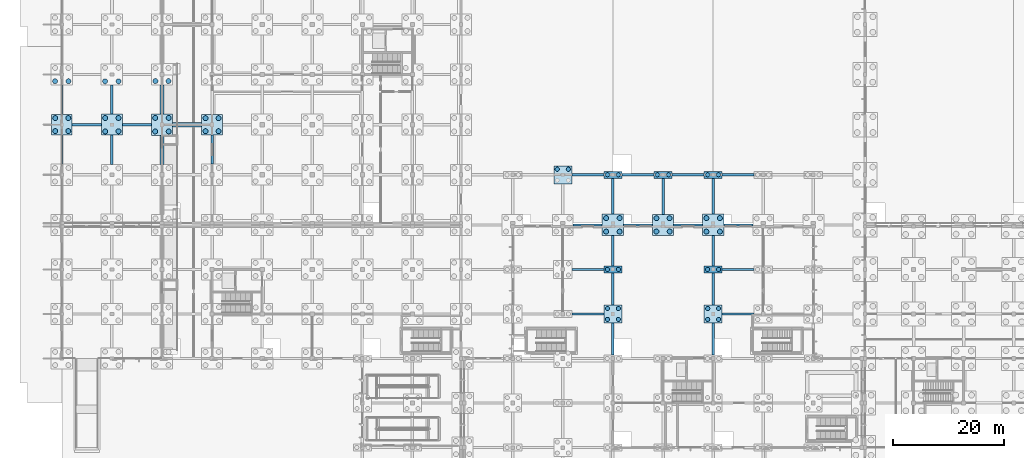
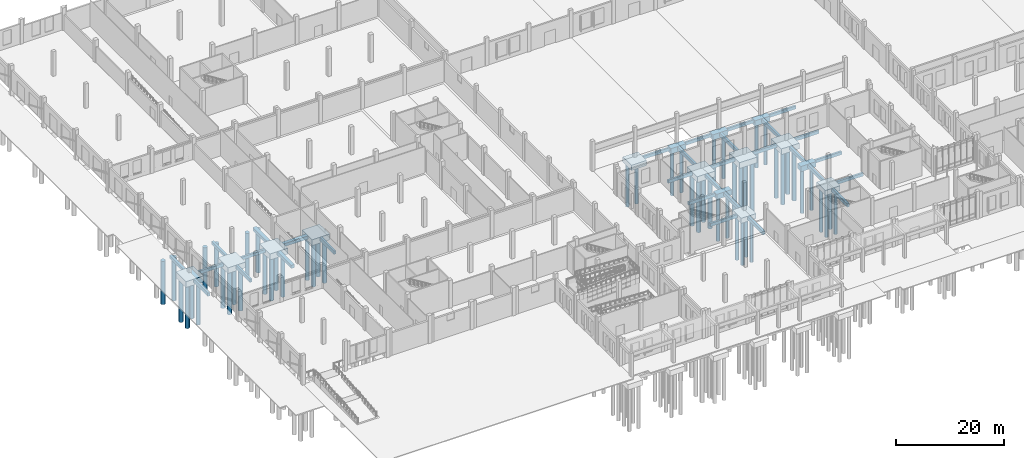
# One storey, part 7 of 99: 54 piles, 46 footings.
"""IFC4 building model written with IfcOpenShell, lengths in metres."""

from ifc_helpers import new_model, si_unit, direction, frame, origin, origin_2d, place, context, subcontext, project, spatial, polyline, rectangle, circle, outline, extrude, material, layer, layer_set, material_profile, profile_set, type_object, element, save


model = new_model("IFC4")

# Units and contexts
model_context = context("Model", 3, precision=1e-05, world=origin(), true_north=direction((0.0, 1.0)))
body_context = subcontext(model_context, "Body", "Model", "MODEL_VIEW")
ifc_project = project(units=[si_unit("LENGTHUNIT", "METRE"), si_unit("AREAUNIT", "SQUARE_METRE"), si_unit("VOLUMEUNIT", "CUBIC_METRE"), si_unit("PLANEANGLEUNIT", "RADIAN"), si_unit("MASSUNIT", "GRAM", prefix="KILO")], contexts=[model_context])

# Site, building, storey
site_placement = place(None, origin())
site = spatial("IfcSite", under=ifc_project, at=site_placement, CompositionType="ELEMENT")
building_placement = place(site_placement, origin())
building = spatial("IfcBuilding", under=site, at=building_placement, Name="Zacnel Wholesale Market", CompositionType="ELEMENT")
storey_placement = place(building_placement, origin())
storey = spatial("IfcBuildingStorey", under=building, at=storey_placement, Name="L01", CompositionType="ELEMENT", Elevation=0.0)

# Footings
ifc_material_1 = material(Name="Concrete C35/45", Category="concrete")
ifc_material_profile_1 = material_profile(ifc_material_1, rectangle(XDim=0.39990234375, YDim=0.699951171875, at=origin_2d()), Name="CT 400x700")
ifc_profile_set_1 = profile_set([ifc_material_profile_1], Name="Concrete C35/45")
footing_type_1 = type_object("IfcFootingType", Name="FTG-CT400X700", PredefinedType="FOOTING_BEAM", material=ifc_profile_set_1)
for number, where, z_axis, x_axis, name in (
    (1, (91.6201171875, 32.0, -0.85009765625), (1.0, 0.0, 0.0), (0.0, 1.0, 0.0), "Ground tie beam CT-X-0327"),
    (2, (118.60009765625, 32.0, -0.85009765625), (1.0, 0.0, 0.0), (0.0, 1.0, 0.0), "Ground tie beam CT-X-0328"),
):
    element("IfcFooting", number, at=place(storey_placement, frame(where, z_axis=z_axis, x_axis=x_axis)), inside=storey, type_object=footing_type_1, Name=name, PredefinedType="FOOTING_BEAM", context=body_context, shape_type="SweptSolid", body=[
        extrude(rectangle(XDim=0.39990234375, YDim=0.699951171875, at=origin_2d()), origin(), (0.0, 0.0, 1.0), 5.77978515625),
    ])
for number, where, z_axis, x_axis, name in (
    (3, (91.635009765625, 40.0, -0.85009765625), (1.0, 0.0, 0.0), (0.0, 1.0, 0.0), "Ground tie beam CT-X-0348"),
    (4, (118.6201171875, 40.0, -0.85009765625), (1.0, 0.0, 0.0), (0.0, 1.0, 0.0), "Ground tie beam CT-X-0349"),
):
    element("IfcFooting", number, at=place(storey_placement, frame(where, z_axis=z_axis, x_axis=x_axis)), inside=storey, type_object=footing_type_1, Name=name, PredefinedType="FOOTING_BEAM", context=body_context, shape_type="SweptSolid", body=[
        extrude(rectangle(XDim=0.39990234375, YDim=0.699951171875, at=origin_2d()), origin(), (0.0, 0.0, 1.0), 5.744873046875),
    ])
footing_1_placement = place(storey_placement, frame((91.8701171875, 48.0, -0.85009765625), z_axis=(1.0, 0.0, 0.0), x_axis=(0.0, 1.0, 0.0)))
element("IfcFooting", 5, at=footing_1_placement, inside=storey, type_object=footing_type_1, Name="Ground tie beam CT-X-0371", PredefinedType="FOOTING_BEAM", context=body_context, shape_type="SweptSolid", body=[
    extrude(rectangle(XDim=0.39990234375, YDim=0.699951171875, at=origin_2d()), origin(), (0.0, 0.0, 1.0), 5.21484375),
])
for number, where, z_axis, x_axis, name in (
    (6, (100.9150390625, 48.0, -0.85009765625), (1.0, 0.0, 0.0), (0.0, 1.0, 0.0), "Ground tie beam CT-X-0372"),
    (7, (109.889892578125, 48.0, -0.85009765625), (1.0, 0.0, 0.0), (0.0, 1.0, 0.0), "Ground tie beam CT-X-0373"),
):
    element("IfcFooting", number, at=place(storey_placement, frame(where, z_axis=z_axis, x_axis=x_axis)), inside=storey, type_object=footing_type_1, Name=name, PredefinedType="FOOTING_BEAM", context=body_context, shape_type="SweptSolid", body=[
        extrude(rectangle(XDim=0.39990234375, YDim=0.699951171875, at=origin_2d()), origin(), (0.0, 0.0, 1.0), 5.195068359375),
    ])
footing_2_placement = place(storey_placement, frame((118.9150390625, 48.0, -0.85009765625), z_axis=(1.0, 0.0, 0.0), x_axis=(0.0, 1.0, 0.0)))
element("IfcFooting", 8, at=footing_2_placement, inside=storey, type_object=footing_type_1, Name="Ground tie beam CT-X-0374", PredefinedType="FOOTING_BEAM", context=body_context, shape_type="SweptSolid", body=[
    extrude(rectangle(XDim=0.39990234375, YDim=0.699951171875, at=origin_2d()), origin(), (0.0, 0.0, 1.0), 5.21484375),
])
footing_3_placement = place(storey_placement, frame((91.6201171875, 57.0, -0.85009765625), z_axis=(1.0, 0.0, 0.0), x_axis=(0.0, 1.0, 0.0)))
element("IfcFooting", 9, at=footing_3_placement, inside=storey, type_object=footing_type_1, Name="Ground tie beam CT-X-0391", PredefinedType="FOOTING_BEAM", context=body_context, shape_type="SweptSolid", body=[
    extrude(rectangle(XDim=0.39990234375, YDim=0.699951171875, at=origin_2d()), origin(), (0.0, 0.0, 1.0), 5.77978515625),
])
for number, where, z_axis, x_axis, name in (
    (10, (100.60009765625, 57.0, -0.85009765625), (1.0, 0.0, 0.0), (0.0, 1.0, 0.0), "Ground tie beam CT-X-0392"),
    (11, (109.635009765625, 57.0, -0.85009765625), (1.0, 0.0, 0.0), (0.0, 1.0, 0.0), "Ground tie beam CT-X-0393"),
):
    element("IfcFooting", number, at=place(storey_placement, frame(where, z_axis=z_axis, x_axis=x_axis)), inside=storey, type_object=footing_type_1, Name=name, PredefinedType="FOOTING_BEAM", context=body_context, shape_type="SweptSolid", body=[
        extrude(rectangle(XDim=0.39990234375, YDim=0.699951171875, at=origin_2d()), origin(), (0.0, 0.0, 1.0), 5.764892578125),
    ])
footing_4_placement = place(storey_placement, frame((118.60009765625, 57.0, -0.85009765625), z_axis=(1.0, 0.0, 0.0), x_axis=(0.0, 1.0, 0.0)))
element("IfcFooting", 12, at=footing_4_placement, inside=storey, type_object=footing_type_1, Name="Ground tie beam CT-X-0394", PredefinedType="FOOTING_BEAM", context=body_context, shape_type="SweptSolid", body=[
    extrude(rectangle(XDim=0.39990234375, YDim=0.699951171875, at=origin_2d()), origin(), (0.0, 0.0, 1.0), 5.77978515625),
])
footing_5_placement = place(storey_placement, frame((1.8701171875, 66.0, -0.85009765625), z_axis=(1.0, 0.0, 0.0), x_axis=(0.0, 1.0, 0.0)))
element("IfcFooting", 13, at=footing_5_placement, inside=storey, type_object=footing_type_1, Name="Ground tie beam CT-X-0401", PredefinedType="FOOTING_BEAM", context=body_context, shape_type="SweptSolid", body=[
    extrude(rectangle(XDim=0.39990234375, YDim=0.699951171875, at=origin_2d()), origin(), (0.0, 0.0, 1.0), 5.239990234375),
])
footing_6_placement = place(storey_placement, frame((10.889892578125, 66.0, -0.85009765625), z_axis=(1.0, 0.0, 0.0), x_axis=(0.0, 1.0, 0.0)))
element("IfcFooting", 14, at=footing_6_placement, inside=storey, type_object=footing_type_1, Name="Ground tie beam CT-X-0402", PredefinedType="FOOTING_BEAM", context=body_context, shape_type="SweptSolid", body=[
    extrude(rectangle(XDim=0.39990234375, YDim=0.699951171875, at=origin_2d()), origin(), (0.0, 0.0, 1.0), 5.195068359375),
])
ifc_material_2 = material(Name="Concrete C35/45", Category="concrete")
ifc_material_profile_2 = material_profile(ifc_material_2, rectangle(XDim=0.449951171875, YDim=0.75, at=origin_2d()), Name="CT 450x750")
ifc_profile_set_2 = profile_set([ifc_material_profile_2], Name="Concrete C35/45")
footing_type_2 = type_object("IfcFootingType", Name="FTG-CT450X750", PredefinedType="FOOTING_BEAM", material=ifc_profile_set_2)
footing_7_placement = place(storey_placement, frame((0.0, 58.9150390625, -0.875), z_axis=(0.0, 1.0, 0.0), x_axis=(-1.0, 0.0, 0.0)))
element("IfcFooting", 15, at=footing_7_placement, inside=storey, type_object=footing_type_2, Name="Ground tie beam CT-Y-0005", PredefinedType="FOOTING_BEAM", context=body_context, shape_type="SweptSolid", body=[
    extrude(rectangle(XDim=0.449951171875, YDim=0.75, at=origin_2d()), origin(), (0.0, 0.0, 1.0), 5.21484375),
])
for number, where, z_axis, x_axis, name in (
    (16, (0.0, 67.8701171875, -0.875), (0.0, 1.0, 0.0), (-1.0, 0.0, 0.0), "Ground tie beam CT-Y-0006"),
    (17, (9.0, 58.8701171875, -0.875), (0.0, 1.0, 0.0), (-1.0, 0.0, 0.0), "Ground tie beam CT-Y-0017"),
):
    element("IfcFooting", number, at=place(storey_placement, frame(where, z_axis=z_axis, x_axis=x_axis)), inside=storey, type_object=footing_type_2, Name=name, PredefinedType="FOOTING_BEAM", context=body_context, shape_type="SweptSolid", body=[
        extrude(rectangle(XDim=0.449951171875, YDim=0.75, at=origin_2d()), origin(), (0.0, 0.0, 1.0), 5.239990234375),
    ])
footing_8_placement = place(storey_placement, frame((9.0, 67.889892578125, -0.875), z_axis=(0.0, 1.0, 0.0), x_axis=(-1.0, 0.0, 0.0)))
element("IfcFooting", 18, at=footing_8_placement, inside=storey, type_object=footing_type_2, Name="Ground tie beam CT-Y-0018", PredefinedType="FOOTING_BEAM", context=body_context, shape_type="SweptSolid", body=[
    extrude(rectangle(XDim=0.449951171875, YDim=0.75, at=origin_2d()), origin(), (0.0, 0.0, 1.0), 5.195068359375),
])
footing_9_placement = place(storey_placement, frame((27.0, 58.9150390625, -0.875), z_axis=(0.0, 1.0, 0.0), x_axis=(-1.0, 0.0, 0.0)))
element("IfcFooting", 19, at=footing_9_placement, inside=storey, type_object=footing_type_2, Name="Ground tie beam CT-Y-0028", PredefinedType="FOOTING_BEAM", context=body_context, shape_type="SweptSolid", body=[
    extrude(rectangle(XDim=0.449951171875, YDim=0.75, at=origin_2d()), origin(), (0.0, 0.0, 1.0), 5.21484375),
])
for number, where, z_axis, x_axis, name in (
    (20, (99.0, 24.625, -0.875), (0.0, 1.0, 0.0), (-1.0, 0.0, 0.0), "Ground tie beam CT-Y-0117"),
    (21, (99.0, 33.60009765625, -0.875), (0.0, 1.0, 0.0), (-1.0, 0.0, 0.0), "Ground tie beam CT-Y-0118"),
):
    element("IfcFooting", number, at=place(storey_placement, frame(where, z_axis=z_axis, x_axis=x_axis)), inside=storey, type_object=footing_type_2, Name=name, PredefinedType="FOOTING_BEAM", context=body_context, shape_type="SweptSolid", body=[
        extrude(rectangle(XDim=0.449951171875, YDim=0.75, at=origin_2d()), origin(), (0.0, 0.0, 1.0), 5.77490234375),
    ])
footing_10_placement = place(storey_placement, frame((99.0, 40.625, -0.875), z_axis=(0.0, 1.0, 0.0), x_axis=(-1.0, 0.0, 0.0)))
element("IfcFooting", 22, at=footing_10_placement, inside=storey, type_object=footing_type_2, Name="Ground tie beam CT-Y-0119", PredefinedType="FOOTING_BEAM", context=body_context, shape_type="SweptSolid", body=[
    extrude(rectangle(XDim=0.449951171875, YDim=0.75, at=origin_2d()), origin(), (0.0, 0.0, 1.0), 5.4599609375),
])
footing_11_placement = place(storey_placement, frame((99.0, 49.9150390625, -0.875), z_axis=(0.0, 1.0, 0.0), x_axis=(-1.0, 0.0, 0.0)))
element("IfcFooting", 23, at=footing_11_placement, inside=storey, type_object=footing_type_2, Name="Ground tie beam CT-Y-0120", PredefinedType="FOOTING_BEAM", context=body_context, shape_type="SweptSolid", body=[
    extrude(rectangle(XDim=0.449951171875, YDim=0.75, at=origin_2d()), origin(), (0.0, 0.0, 1.0), 6.4599609375),
])
footing_12_placement = place(storey_placement, frame((108.0, 49.889892578125, -0.875), z_axis=(0.0, 1.0, 0.0), x_axis=(-1.0, 0.0, 0.0)))
element("IfcFooting", 24, at=footing_12_placement, inside=storey, type_object=footing_type_2, Name="Ground tie beam CT-Y-0124", PredefinedType="FOOTING_BEAM", context=body_context, shape_type="SweptSolid", body=[
    extrude(rectangle(XDim=0.449951171875, YDim=0.75, at=origin_2d()), origin(), (0.0, 0.0, 1.0), 6.485107421875),
])
for number, where, z_axis, x_axis, name in (
    (25, (117.0, 24.625, -0.875), (0.0, 1.0, 0.0), (-1.0, 0.0, 0.0), "Ground tie beam CT-Y-0128"),
    (26, (117.0, 33.60009765625, -0.875), (0.0, 1.0, 0.0), (-1.0, 0.0, 0.0), "Ground tie beam CT-Y-0129"),
):
    element("IfcFooting", number, at=place(storey_placement, frame(where, z_axis=z_axis, x_axis=x_axis)), inside=storey, type_object=footing_type_2, Name=name, PredefinedType="FOOTING_BEAM", context=body_context, shape_type="SweptSolid", body=[
        extrude(rectangle(XDim=0.449951171875, YDim=0.75, at=origin_2d()), origin(), (0.0, 0.0, 1.0), 5.77490234375),
    ])
footing_13_placement = place(storey_placement, frame((117.0, 40.625, -0.875), z_axis=(0.0, 1.0, 0.0), x_axis=(-1.0, 0.0, 0.0)))
element("IfcFooting", 27, at=footing_13_placement, inside=storey, type_object=footing_type_2, Name="Ground tie beam CT-Y-0130", PredefinedType="FOOTING_BEAM", context=body_context, shape_type="SweptSolid", body=[
    extrude(rectangle(XDim=0.449951171875, YDim=0.75, at=origin_2d()), origin(), (0.0, 0.0, 1.0), 5.4599609375),
])
footing_14_placement = place(storey_placement, frame((117.0, 49.9150390625, -0.875), z_axis=(0.0, 1.0, 0.0), x_axis=(-1.0, 0.0, 0.0)))
element("IfcFooting", 28, at=footing_14_placement, inside=storey, type_object=footing_type_2, Name="Ground tie beam CT-Y-0131", PredefinedType="FOOTING_BEAM", context=body_context, shape_type="SweptSolid", body=[
    extrude(rectangle(XDim=0.449951171875, YDim=0.75, at=origin_2d()), origin(), (0.0, 0.0, 1.0), 6.4599609375),
])
ifc_material_3 = material(Name="Concrete C35/45", Category="concrete")
ifc_layer_1 = layer(ifc_material_3, 1.0)
ifc_layer_set_1 = layer_set([ifc_layer_1], Name="Concrete C35/45")
footing_type_3 = type_object("IfcFootingType", Name="FTG-PAD-2400X1800", PredefinedType="PAD_FOOTING", material=ifc_layer_set_1)
footing_15_placement = place(storey_placement, frame((0.0, 0.0, -1.199951171875)))
element("IfcFooting", 29, at=footing_15_placement, inside=storey, type_object=footing_type_3, Name="Shear wall strip footing 01", PredefinedType="PAD_FOOTING", context=body_context, shape_type="SweptSolid", body=[
    extrude(outline(polyline([(19.9169921875, 65.625), (19.9169921875, 66.375), (25.1279296875, 66.375), (25.1279296875, 65.625), (19.9169921875, 65.625)])), origin(), (0.0, 0.0, 1.0), 0.699951171875),
])
ifc_material_4 = material(Name="Concrete C35/45", Category="concrete")
ifc_layer_2 = layer(ifc_material_4, 1.199951171875)
ifc_layer_set_2 = layer_set([ifc_layer_2], Name="Concrete C35/45")
footing_type_4 = type_object("IfcFootingType", Name="FTG-PC-3200X1250X1200", PredefinedType="PILE_CAP", material=ifc_layer_set_2)
for number, where, z_axis, x_axis, name in (
    (30, (99.0, 57.0, -1.7001953125), (0.0, 0.0, 1.0), (1.0, 0.0, 0.0), "Pile cap PC-12 (STR-PC-156)"),
    (31, (117.0, 57.0, -1.7001953125), (0.0, 0.0, 1.0), (1.0, 0.0, 0.0), "Pile cap PC-12 (STR-PC-174)"),
):
    element("IfcFooting", number, at=place(storey_placement, frame(where, z_axis=z_axis, x_axis=x_axis)), inside=storey, type_object=footing_type_4, Name=name, PredefinedType="PILE_CAP", context=body_context, shape_type="SweptSolid", body=[
        extrude(rectangle(XDim=3.199951171875, YDim=1.25, at=origin_2d()), origin(), (0.0, 0.0, 1.0), 1.199951171875),
    ])
ifc_material_5 = material(Name="Concrete C35/45", Category="concrete")
ifc_layer_3 = layer(ifc_material_5, 1.14990234375)
ifc_layer_set_3 = layer_set([ifc_layer_3], Name="Concrete C35/45")
footing_type_5 = type_object("IfcFootingType", Name="FTG-PC-3200X3200X1150", PredefinedType="PILE_CAP", material=ifc_layer_set_3)
for number, where, z_axis, x_axis, name in (
    (32, (99.0, 32.0, -1.64990234375), (0.0, 0.0, 1.0), (1.0, 0.0, 0.0), "Pile cap PC-09 (STR-PC-153)"),
    (33, (117.0, 32.0, -1.64990234375), (0.0, 0.0, 1.0), (1.0, 0.0, 0.0), "Pile cap PC-09 (STR-PC-171)"),
):
    element("IfcFooting", number, at=place(storey_placement, frame(where, z_axis=z_axis, x_axis=x_axis)), inside=storey, type_object=footing_type_5, Name=name, PredefinedType="PILE_CAP", context=body_context, shape_type="SweptSolid", body=[
        extrude(rectangle(XDim=3.199951171875, YDim=3.199951171875, at=origin_2d()), origin(), (0.0, 0.0, 1.0), 1.14990234375),
    ])
ifc_material_6 = material(Name="Concrete C35/45", Category="concrete")
ifc_layer_4 = layer(ifc_material_6, 1.199951171875)
ifc_layer_set_4 = layer_set([ifc_layer_4], Name="Concrete C35/45")
footing_type_6 = type_object("IfcFootingType", Name="FTG-PC-3240X1250X1200", PredefinedType="PILE_CAP", material=ifc_layer_set_4)
for number, where, z_axis, x_axis, name in (
    (34, (99.0, 40.0, -1.7001953125), (0.0, 0.0, 1.0), (1.0, 0.0, 0.0), "Pile cap PC-10 (STR-PC-154)"),
    (35, (117.0, 40.0, -1.7001953125), (0.0, 0.0, 1.0), (1.0, 0.0, 0.0), "Pile cap PC-10 (STR-PC-172)"),
):
    element("IfcFooting", number, at=place(storey_placement, frame(where, z_axis=z_axis, x_axis=x_axis)), inside=storey, type_object=footing_type_6, Name=name, PredefinedType="PILE_CAP", context=body_context, shape_type="SweptSolid", body=[
        extrude(rectangle(XDim=3.239990234375, YDim=1.25, at=origin_2d()), origin(), (0.0, 0.0, 1.0), 1.199951171875),
    ])
ifc_material_7 = material(Name="Concrete C35/45", Category="concrete")
ifc_layer_5 = layer(ifc_material_7, 1.14990234375)
ifc_layer_set_5 = layer_set([ifc_layer_5], Name="Concrete C35/45")
footing_type_7 = type_object("IfcFootingType", Name="FTG-PC-3240X3240X1150", PredefinedType="PILE_CAP", material=ifc_layer_set_5)
footing_16_placement = place(storey_placement, frame((90.0, 57.0, -1.64990234375), z_axis=(0.0, 0.0, 1.0), x_axis=(1.0, 0.0, 0.0)))
element("IfcFooting", 36, at=footing_16_placement, inside=storey, type_object=footing_type_7, Name="Pile cap PC-07 (STR-PC-145)", PredefinedType="PILE_CAP", context=body_context, shape_type="SweptSolid", body=[
    extrude(rectangle(XDim=3.239990234375, YDim=3.239990234375, at=origin_2d()), origin(), (0.0, 0.0, 1.0), 1.14990234375),
])
ifc_material_8 = material(Name="Concrete C35/45", Category="concrete")
ifc_layer_6 = layer(ifc_material_8, 1.199951171875)
ifc_layer_set_6 = layer_set([ifc_layer_6], Name="Concrete C35/45")
footing_type_8 = type_object("IfcFootingType", Name="FTG-PC-3270X1250X1200", PredefinedType="PILE_CAP", material=ifc_layer_set_6)
footing_17_placement = place(storey_placement, frame((108.0, 57.0, -1.7001953125), z_axis=(0.0, 0.0, 1.0), x_axis=(1.0, 0.0, 0.0)))
element("IfcFooting", 37, at=footing_17_placement, inside=storey, type_object=footing_type_8, Name="Pile cap PC-08 (STR-PC-164)", PredefinedType="PILE_CAP", context=body_context, shape_type="SweptSolid", body=[
    extrude(rectangle(XDim=3.27001953125, YDim=1.25, at=origin_2d()), origin(), (0.0, 0.0, 1.0), 1.199951171875),
])
ifc_material_9 = material(Name="Concrete C35/45", Category="concrete")
ifc_layer_7 = layer(ifc_material_9, 1.300048828125)
ifc_layer_set_7 = layer_set([ifc_layer_7], Name="Concrete C35/45")
footing_type_9 = type_object("IfcFootingType", Name="FTG-PC-3740X3740X1300", PredefinedType="PILE_CAP", material=ifc_layer_set_7)
footing_18_placement = place(storey_placement, frame((27.0, 66.0, -1.7998046875), z_axis=(0.0, 0.0, 1.0), x_axis=(1.0, 0.0, 0.0)))
element("IfcFooting", 38, at=footing_18_placement, inside=storey, type_object=footing_type_9, Name="Pile cap PC-03 (STR-PC-045)", PredefinedType="PILE_CAP", context=body_context, shape_type="SweptSolid", body=[
    extrude(rectangle(XDim=3.739990234375, YDim=3.739990234375, at=origin_2d()), origin(), (0.0, 0.0, 1.0), 1.300048828125),
])
ifc_material_10 = material(Name="Concrete C35/45", Category="concrete")
ifc_layer_8 = layer(ifc_material_10, 1.35009765625)
ifc_layer_set_8 = layer_set([ifc_layer_8], Name="Concrete C35/45")
footing_type_10 = type_object("IfcFootingType", Name="FTG-PC-3740X3740X1350", PredefinedType="PILE_CAP", material=ifc_layer_set_8)
footing_19_placement = place(storey_placement, frame((0.0, 66.0, -1.85009765625), z_axis=(0.0, 0.0, 1.0), x_axis=(1.0, 0.0, 0.0)))
element("IfcFooting", 39, at=footing_19_placement, inside=storey, type_object=footing_type_10, Name="Pile cap PC-06 (STR-PC-006)", PredefinedType="PILE_CAP", context=body_context, shape_type="SweptSolid", body=[
    extrude(rectangle(XDim=3.739990234375, YDim=3.739990234375, at=origin_2d()), origin(), (0.0, 0.0, 1.0), 1.35009765625),
])
ifc_material_11 = material(Name="Concrete C35/45", Category="concrete")
ifc_layer_9 = layer(ifc_material_11, 1.300048828125)
ifc_layer_set_9 = layer_set([ifc_layer_9], Name="Concrete C35/45")
footing_type_11 = type_object("IfcFootingType", Name="FTG-PC-3780X3780X1300", PredefinedType="PILE_CAP", material=ifc_layer_set_9)
for number, where, z_axis, x_axis, name in (
    (40, (9.0, 66.0, -1.7998046875), (0.0, 0.0, 1.0), (1.0, 0.0, 0.0), "Pile cap PC-01 (STR-PC-019)"),
    (41, (108.0, 48.0, -1.7998046875), (0.0, 0.0, 1.0), (1.0, 0.0, 0.0), "Pile cap PC-01 (STR-PC-163)"),
):
    element("IfcFooting", number, at=place(storey_placement, frame(where, z_axis=z_axis, x_axis=x_axis)), inside=storey, type_object=footing_type_11, Name=name, PredefinedType="PILE_CAP", context=body_context, shape_type="SweptSolid", body=[
        extrude(rectangle(XDim=3.780029296875, YDim=3.780029296875, at=origin_2d()), origin(), (0.0, 0.0, 1.0), 1.300048828125),
    ])
ifc_material_12 = material(Name="Concrete C35/45", Category="concrete")
ifc_layer_10 = layer(ifc_material_12, 1.300048828125)
ifc_layer_set_10 = layer_set([ifc_layer_10], Name="Concrete C35/45")
footing_type_12 = type_object("IfcFootingType", Name="FTG-PC-3830X3830X1300", PredefinedType="PILE_CAP", material=ifc_layer_set_10)
for number, where, z_axis, x_axis, name in (
    (42, (99.0, 48.0, -1.7998046875), (0.0, 0.0, 1.0), (1.0, 0.0, 0.0), "Pile cap PC-05 (STR-PC-155)"),
    (43, (117.0, 48.0, -1.7998046875), (0.0, 0.0, 1.0), (1.0, 0.0, 0.0), "Pile cap PC-05 (STR-PC-173)"),
):
    element("IfcFooting", number, at=place(storey_placement, frame(where, z_axis=z_axis, x_axis=x_axis)), inside=storey, type_object=footing_type_12, Name=name, PredefinedType="PILE_CAP", context=body_context, shape_type="SweptSolid", body=[
        extrude(rectangle(XDim=3.830078125, YDim=3.830078125, at=origin_2d()), origin(), (0.0, 0.0, 1.0), 1.300048828125),
    ])
ifc_material_13 = material(Name="Concrete C35/45", Category="concrete")
ifc_layer_11 = layer(ifc_material_13, 1.35009765625)
ifc_layer_set_11 = layer_set([ifc_layer_11], Name="Concrete C35/45")
footing_type_13 = type_object("IfcFootingType", Name="FTG-PC-3830X3830X1350", PredefinedType="PILE_CAP", material=ifc_layer_set_11)
footing_20_placement = place(storey_placement, frame((18.0, 66.0, -1.85009765625), z_axis=(0.0, 0.0, 1.0), x_axis=(1.0, 0.0, 0.0)))
element("IfcFooting", 44, at=footing_20_placement, inside=storey, type_object=footing_type_13, Name="Pile cap PC-02 (STR-PC-032)", PredefinedType="PILE_CAP", context=body_context, shape_type="SweptSolid", body=[
    extrude(rectangle(XDim=3.830078125, YDim=3.830078125, at=origin_2d()), origin(), (0.0, 0.0, 1.0), 1.35009765625),
])
ifc_material_14 = material(Name="Concrete C35/45", Category="concrete")
ifc_layer_12 = layer(ifc_material_14, 0.699951171875)
ifc_layer_set_12 = layer_set([ifc_layer_12], Name="Concrete C35/45")
footing_type_14 = type_object("IfcFootingType", Name="FTG-STRIP-750X700", PredefinedType="STRIP_FOOTING", material=ifc_layer_set_12)
footing_21_placement = place(storey_placement, frame((0.0, 0.0, -1.199951171875)))
element("IfcFooting", 45, at=footing_21_placement, inside=storey, type_object=footing_type_14, Name="Dock step strip footing 005", PredefinedType="STRIP_FOOTING", context=body_context, shape_type="SweptSolid", body=[
    extrude(outline(polyline([(18.375, 58.89111328125), (18.375, 64.083984375), (17.625, 64.083984375), (17.625, 58.89111328125), (18.375, 58.89111328125)])), origin(), (0.0, 0.0, 1.0), 0.699951171875),
])
footing_22_placement = place(storey_placement, frame((0.0, 0.0, -1.199951171875)))
element("IfcFooting", 46, at=footing_22_placement, inside=storey, type_object=footing_type_14, Name="Dock step strip footing 006", PredefinedType="STRIP_FOOTING", context=body_context, shape_type="SweptSolid", body=[
    extrude(outline(polyline([(18.375, 67.916015625), (18.375, 73.12890625), (17.625, 73.12890625), (17.625, 67.916015625), (18.375, 67.916015625)])), origin(), (0.0, 0.0, 1.0), 0.699951171875),
])

# Piles
ifc_material_15 = material(Name="Concrete C35/45", Category="concrete")
ifc_material_profile_3 = material_profile(ifc_material_15, circle(Radius=0.375, at=origin_2d()), Name="BORED PILE D750")
ifc_profile_set_3 = profile_set([ifc_material_profile_3], Name="Concrete C35/45")
pile_type_1 = type_object("IfcPileType", Name="PILE-BORED-750", PredefinedType="BORED", material=ifc_profile_set_3)
for number, where, z_axis, x_axis, name in (
    (47, (89.006591796875, 57.993408203125, -1.550048828125), (0.0, 0.0, -1.0), (1.0, 0.0, 0.0), "Bored pile STR-PILE-145-02"),
    (48, (90.993408203125, 57.993408203125, -1.550048828125), (0.0, 0.0, -1.0), (1.0, 0.0, 0.0), "Bored pile STR-PILE-145-04"),
    (49, (98.02490234375, 31.02490234375, -1.550048828125), (0.0, 0.0, -1.0), (1.0, 0.0, 0.0), "Bored pile STR-PILE-153-01"),
    (50, (98.02490234375, 32.97509765625, -1.550048828125), (0.0, 0.0, -1.0), (1.0, 0.0, 0.0), "Bored pile STR-PILE-153-02"),
    (51, (99.97509765625, 31.02490234375, -1.550048828125), (0.0, 0.0, -1.0), (1.0, 0.0, 0.0), "Bored pile STR-PILE-153-03"),
    (52, (99.97509765625, 32.97509765625, -1.550048828125), (0.0, 0.0, -1.0), (1.0, 0.0, 0.0), "Bored pile STR-PILE-153-04"),
):
    element("IfcPile", number, at=place(storey_placement, frame(where, z_axis=z_axis, x_axis=x_axis)), inside=storey, type_object=pile_type_1, Name=name, PredefinedType="BORED", context=body_context, shape_type="SweptSolid", body=[
        extrude(circle(Radius=0.375, at=origin_2d()), origin(), (0.0, 0.0, 1.0), 9.949951171875),
    ])
for number, where, z_axis, x_axis, name in (
    (53, (98.006591796875, 40.0, -1.60009765625), (0.0, 0.0, -1.0), (1.0, 0.0, 0.0), "Bored pile STR-PILE-154-01"),
    (54, (99.993408203125, 40.0, -1.60009765625), (0.0, 0.0, -1.0), (1.0, 0.0, 0.0), "Bored pile STR-PILE-154-02"),
    (55, (98.02490234375, 57.0, -1.60009765625), (0.0, 0.0, -1.0), (1.0, 0.0, 0.0), "Bored pile STR-PILE-156-01"),
    (56, (99.97509765625, 57.0, -1.60009765625), (0.0, 0.0, -1.0), (1.0, 0.0, 0.0), "Bored pile STR-PILE-156-02"),
    (57, (106.987548828125, 57.0, -1.60009765625), (0.0, 0.0, -1.0), (1.0, 0.0, 0.0), "Bored pile STR-PILE-164-01"),
    (58, (109.012451171875, 57.0, -1.60009765625), (0.0, 0.0, -1.0), (1.0, 0.0, 0.0), "Bored pile STR-PILE-164-02"),
):
    element("IfcPile", number, at=place(storey_placement, frame(where, z_axis=z_axis, x_axis=x_axis)), inside=storey, type_object=pile_type_1, Name=name, PredefinedType="BORED", context=body_context, shape_type="SweptSolid", body=[
        extrude(circle(Radius=0.375, at=origin_2d()), origin(), (0.0, 0.0, 1.0), 9.89990234375),
    ])
for number, where, z_axis, x_axis, name in (
    (59, (116.02490234375, 31.02490234375, -1.550048828125), (0.0, 0.0, -1.0), (1.0, 0.0, 0.0), "Bored pile STR-PILE-171-01"),
    (60, (116.02490234375, 32.97509765625, -1.550048828125), (0.0, 0.0, -1.0), (1.0, 0.0, 0.0), "Bored pile STR-PILE-171-02"),
    (61, (117.97509765625, 31.02490234375, -1.550048828125), (0.0, 0.0, -1.0), (1.0, 0.0, 0.0), "Bored pile STR-PILE-171-03"),
    (62, (117.97509765625, 32.97509765625, -1.550048828125), (0.0, 0.0, -1.0), (1.0, 0.0, 0.0), "Bored pile STR-PILE-171-04"),
):
    element("IfcPile", number, at=place(storey_placement, frame(where, z_axis=z_axis, x_axis=x_axis)), inside=storey, type_object=pile_type_1, Name=name, PredefinedType="BORED", context=body_context, shape_type="SweptSolid", body=[
        extrude(circle(Radius=0.375, at=origin_2d()), origin(), (0.0, 0.0, 1.0), 9.949951171875),
    ])
for number, where, z_axis, x_axis, name in (
    (63, (116.006591796875, 40.0, -1.60009765625), (0.0, 0.0, -1.0), (1.0, 0.0, 0.0), "Bored pile STR-PILE-172-01"),
    (64, (117.993408203125, 40.0, -1.60009765625), (0.0, 0.0, -1.0), (1.0, 0.0, 0.0), "Bored pile STR-PILE-172-02"),
    (65, (116.02490234375, 57.0, -1.60009765625), (0.0, 0.0, -1.0), (1.0, 0.0, 0.0), "Bored pile STR-PILE-174-01"),
    (66, (117.97509765625, 57.0, -1.60009765625), (0.0, 0.0, -1.0), (1.0, 0.0, 0.0), "Bored pile STR-PILE-174-02"),
):
    element("IfcPile", number, at=place(storey_placement, frame(where, z_axis=z_axis, x_axis=x_axis)), inside=storey, type_object=pile_type_1, Name=name, PredefinedType="BORED", context=body_context, shape_type="SweptSolid", body=[
        extrude(circle(Radius=0.375, at=origin_2d()), origin(), (0.0, 0.0, 1.0), 9.89990234375),
    ])
ifc_material_16 = material(Name="Concrete C35/45", Category="concrete")
ifc_material_profile_4 = material_profile(ifc_material_16, circle(Radius=0.449951171875, at=origin_2d()), Name="BORED PILE D900")
ifc_profile_set_4 = profile_set([ifc_material_profile_4], Name="Concrete C35/45")
pile_type_2 = type_object("IfcPileType", Name="PILE-BORED-900", PredefinedType="BORED", material=ifc_profile_set_4)
for number, where, z_axis, x_axis, name in (
    (67, (-1.169921875, 64.830078125, -1.75), (0.0, 0.0, -1.0), (1.0, 0.0, 0.0), "Bored pile STR-PILE-006-01"),
    (68, (-1.169921875, 67.169921875, -1.75), (0.0, 0.0, -1.0), (1.0, 0.0, 0.0), "Bored pile STR-PILE-006-02"),
    (69, (1.169921875, 64.830078125, -1.75), (0.0, 0.0, -1.0), (1.0, 0.0, 0.0), "Bored pile STR-PILE-006-03"),
    (70, (1.169921875, 67.169921875, -1.75), (0.0, 0.0, -1.0), (1.0, 0.0, 0.0), "Bored pile STR-PILE-006-04"),
):
    element("IfcPile", number, at=place(storey_placement, frame(where, z_axis=z_axis, x_axis=x_axis)), inside=storey, type_object=pile_type_2, Name=name, PredefinedType="BORED", context=body_context, shape_type="SweptSolid", body=[
        extrude(circle(Radius=0.449951171875, at=origin_2d()), origin(), (0.0, 0.0, 1.0), 9.75),
    ])
for number, where, z_axis, x_axis, name in (
    (71, (-1.1923828125, 73.8076171875, -1.699951171875), (0.0, 0.0, -1.0), (1.0, 0.0, 0.0), "Bored pile STR-PILE-007-01"),
    (72, (1.1923828125, 73.8076171875, -1.699951171875), (0.0, 0.0, -1.0), (1.0, 0.0, 0.0), "Bored pile STR-PILE-007-03"),
    (73, (7.8076171875, 64.8076171875, -1.699951171875), (0.0, 0.0, -1.0), (1.0, 0.0, 0.0), "Bored pile STR-PILE-019-01"),
    (74, (7.8076171875, 67.1923828125, -1.699951171875), (0.0, 0.0, -1.0), (1.0, 0.0, 0.0), "Bored pile STR-PILE-019-02"),
    (75, (10.1923828125, 64.8076171875, -1.699951171875), (0.0, 0.0, -1.0), (1.0, 0.0, 0.0), "Bored pile STR-PILE-019-03"),
    (76, (10.1923828125, 67.1923828125, -1.699951171875), (0.0, 0.0, -1.0), (1.0, 0.0, 0.0), "Bored pile STR-PILE-019-04"),
):
    element("IfcPile", number, at=place(storey_placement, frame(where, z_axis=z_axis, x_axis=x_axis)), inside=storey, type_object=pile_type_2, Name=name, PredefinedType="BORED", context=body_context, shape_type="SweptSolid", body=[
        extrude(circle(Radius=0.449951171875, at=origin_2d()), origin(), (0.0, 0.0, 1.0), 9.800048828125),
    ])
for number, where, z_axis, x_axis, name in (
    (77, (7.784912109375, 73.784912109375, -1.75), (0.0, 0.0, -1.0), (1.0, 0.0, 0.0), "Bored pile STR-PILE-020-01"),
    (78, (10.215087890625, 73.784912109375, -1.75), (0.0, 0.0, -1.0), (1.0, 0.0, 0.0), "Bored pile STR-PILE-020-03"),
    (79, (16.784912109375, 64.784912109375, -1.75), (0.0, 0.0, -1.0), (1.0, 0.0, 0.0), "Bored pile STR-PILE-032-01"),
    (80, (16.784912109375, 67.215087890625, -1.75), (0.0, 0.0, -1.0), (1.0, 0.0, 0.0), "Bored pile STR-PILE-032-02"),
    (81, (19.215087890625, 64.784912109375, -1.75), (0.0, 0.0, -1.0), (1.0, 0.0, 0.0), "Bored pile STR-PILE-032-03"),
    (82, (19.215087890625, 67.215087890625, -1.75), (0.0, 0.0, -1.0), (1.0, 0.0, 0.0), "Bored pile STR-PILE-032-04"),
):
    element("IfcPile", number, at=place(storey_placement, frame(where, z_axis=z_axis, x_axis=x_axis)), inside=storey, type_object=pile_type_2, Name=name, PredefinedType="BORED", context=body_context, shape_type="SweptSolid", body=[
        extrude(circle(Radius=0.449951171875, at=origin_2d()), origin(), (0.0, 0.0, 1.0), 9.75),
    ])
for number, where, z_axis, x_axis, name in (
    (83, (16.830078125, 73.830078125, -1.699951171875), (0.0, 0.0, -1.0), (1.0, 0.0, 0.0), "Bored pile STR-PILE-033-01"),
    (84, (19.169921875, 73.830078125, -1.699951171875), (0.0, 0.0, -1.0), (1.0, 0.0, 0.0), "Bored pile STR-PILE-033-03"),
    (85, (25.830078125, 64.830078125, -1.699951171875), (0.0, 0.0, -1.0), (1.0, 0.0, 0.0), "Bored pile STR-PILE-045-01"),
    (86, (25.830078125, 67.169921875, -1.699951171875), (0.0, 0.0, -1.0), (1.0, 0.0, 0.0), "Bored pile STR-PILE-045-02"),
    (87, (28.169921875, 64.830078125, -1.699951171875), (0.0, 0.0, -1.0), (1.0, 0.0, 0.0), "Bored pile STR-PILE-045-03"),
    (88, (28.169921875, 67.169921875, -1.699951171875), (0.0, 0.0, -1.0), (1.0, 0.0, 0.0), "Bored pile STR-PILE-045-04"),
):
    element("IfcPile", number, at=place(storey_placement, frame(where, z_axis=z_axis, x_axis=x_axis)), inside=storey, type_object=pile_type_2, Name=name, PredefinedType="BORED", context=body_context, shape_type="SweptSolid", body=[
        extrude(circle(Radius=0.449951171875, at=origin_2d()), origin(), (0.0, 0.0, 1.0), 9.800048828125),
    ])
for number, where, z_axis, x_axis, name in (
    (89, (97.784912109375, 46.784912109375, -1.699951171875), (0.0, 0.0, -1.0), (1.0, 0.0, 0.0), "Bored pile STR-PILE-155-01"),
    (90, (97.784912109375, 49.215087890625, -1.699951171875), (0.0, 0.0, -1.0), (1.0, 0.0, 0.0), "Bored pile STR-PILE-155-02"),
    (91, (100.215087890625, 46.784912109375, -1.699951171875), (0.0, 0.0, -1.0), (1.0, 0.0, 0.0), "Bored pile STR-PILE-155-03"),
    (92, (100.215087890625, 49.215087890625, -1.699951171875), (0.0, 0.0, -1.0), (1.0, 0.0, 0.0), "Bored pile STR-PILE-155-04"),
    (93, (106.8076171875, 46.8076171875, -1.699951171875), (0.0, 0.0, -1.0), (1.0, 0.0, 0.0), "Bored pile STR-PILE-163-01"),
    (94, (106.8076171875, 49.1923828125, -1.699951171875), (0.0, 0.0, -1.0), (1.0, 0.0, 0.0), "Bored pile STR-PILE-163-02"),
    (95, (109.1923828125, 46.8076171875, -1.699951171875), (0.0, 0.0, -1.0), (1.0, 0.0, 0.0), "Bored pile STR-PILE-163-03"),
    (96, (109.1923828125, 49.1923828125, -1.699951171875), (0.0, 0.0, -1.0), (1.0, 0.0, 0.0), "Bored pile STR-PILE-163-04"),
    (97, (115.784912109375, 46.784912109375, -1.699951171875), (0.0, 0.0, -1.0), (1.0, 0.0, 0.0), "Bored pile STR-PILE-173-01"),
    (98, (115.784912109375, 49.215087890625, -1.699951171875), (0.0, 0.0, -1.0), (1.0, 0.0, 0.0), "Bored pile STR-PILE-173-02"),
    (99, (118.215087890625, 46.784912109375, -1.699951171875), (0.0, 0.0, -1.0), (1.0, 0.0, 0.0), "Bored pile STR-PILE-173-03"),
    (100, (118.215087890625, 49.215087890625, -1.699951171875), (0.0, 0.0, -1.0), (1.0, 0.0, 0.0), "Bored pile STR-PILE-173-04"),
):
    element("IfcPile", number, at=place(storey_placement, frame(where, z_axis=z_axis, x_axis=x_axis)), inside=storey, type_object=pile_type_2, Name=name, PredefinedType="BORED", context=body_context, shape_type="SweptSolid", body=[
        extrude(circle(Radius=0.449951171875, at=origin_2d()), origin(), (0.0, 0.0, 1.0), 11.800048828125),
    ])

save(model, "model.ifc")
